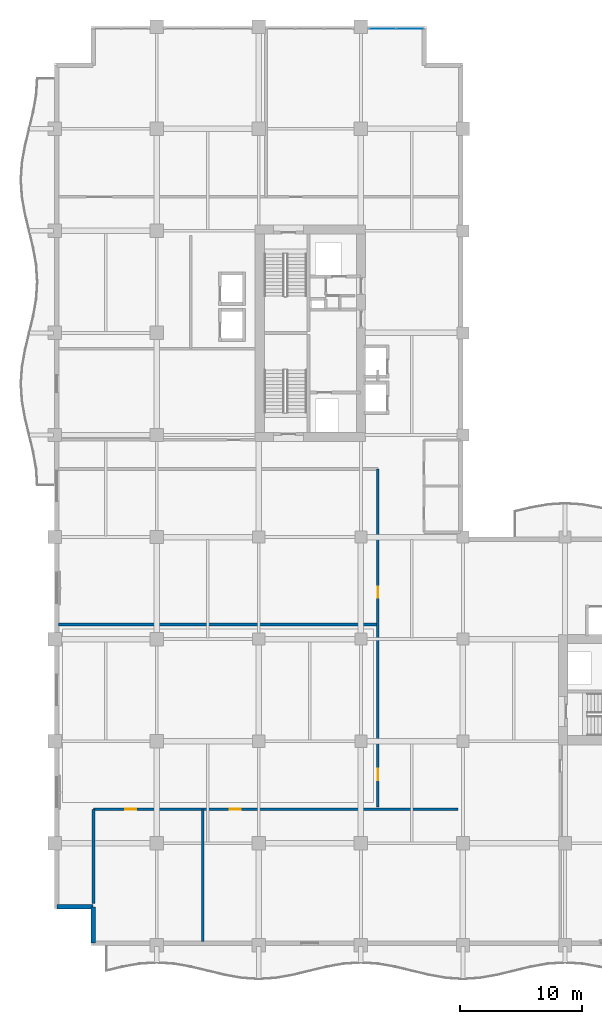
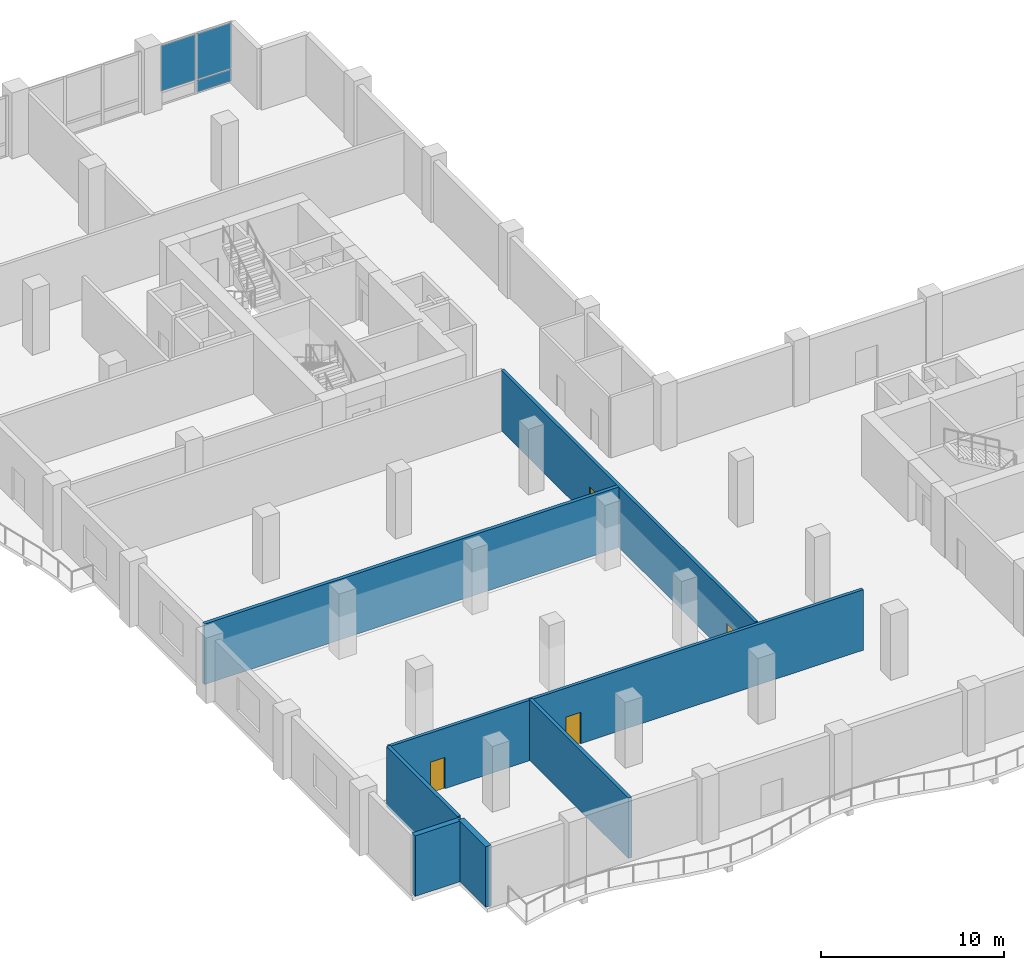
# One storey, part 13 of 25: 7 walls, 4 doors, 3 plates, 4 openings, 1 element without a shape of its own.
"""IFC4 building model written with IfcOpenShell, lengths in metres."""

from ifc_helpers import new_model, si_unit, direction, frame, frame_2d, origin, origin_2d, place, context, subcontext, project, spatial, rectangle, extrude, material, layer, layer_set, type_object, element, fill, aggregate, save


model = new_model("IFC4")

# Units and contexts
model_context = context("Model", 3, precision=1e-05, world=origin(), true_north=direction((0.0, 1.0)))
body_context = subcontext(model_context, "Body", "Model", "MODEL_VIEW")
ifc_project = project(units=[si_unit("LENGTHUNIT", "METRE"), si_unit("AREAUNIT", "SQUARE_METRE"), si_unit("VOLUMEUNIT", "CUBIC_METRE"), si_unit("PLANEANGLEUNIT", "RADIAN"), si_unit("MASSUNIT", "GRAM", prefix="KILO")], contexts=[model_context])

# Site, building, storey
site_placement = place(None, origin())
site = spatial("IfcSite", under=ifc_project, at=site_placement, CompositionType="ELEMENT")
building_placement = place(site_placement, origin())
building = spatial("IfcBuilding", under=site, at=building_placement, Name="Koriwani Terraces Tower", CompositionType="ELEMENT")
storey_placement = place(building_placement, frame((0.0, 0.0, 157.60009765625)))
storey = spatial("IfcBuildingStorey", under=building, at=storey_placement, Name="L38", CompositionType="ELEMENT", Elevation=157.60009765625)

# Curtain wall, plates
ifc_material_1 = material(Name="Anodised Bronze Aluminium", Category="aluminium")
ifc_layer_1 = layer(ifc_material_1, 0.169921875, Name="Anodised Bronze Aluminium")
ifc_layer_set_1 = layer_set([ifc_layer_1], Name="Anodised Bronze Aluminium")
curtain_wall_type = type_object("IfcCurtainWallType", Name="CW_RES_ZONE3", PredefinedType="NOTDEFINED", material=ifc_layer_set_1)
curtain_wall_placement = place(storey_placement, origin())
curtain_wall = element("IfcCurtainWall", 1, at=curtain_wall_placement, inside=storey, type_object=curtain_wall_type, Name="L38 Unitised Curtain Wall (N_TIP) Bay 4", PredefinedType="NOTDEFINED")
ifc_material_2 = material(Name="Tempered Laminated Low-E Glass", Category="glass")
ifc_layer_2 = layer(ifc_material_2, 0.028076171875, Name="Tempered Laminated Low-E Glass")
ifc_layer_set_2 = layer_set([ifc_layer_2], Name="Tempered Laminated Low-E Glass")
plate_type = type_object("IfcPlateType", Name="CW_PANEL_VISION_28", PredefinedType="CURTAIN_PANEL", material=ifc_layer_set_2)
plate_1_placement = place(storey_placement, frame((26.982421875, 75.425048828125, 0.9326171875), z_axis=(0.0, 0.0, 1.0), x_axis=(1.0, 0.0, 0.0)))
plate_1 = element("IfcPlate", 2, at=plate_1_placement, type_object=plate_type, Name="CW-Z3 panel 1.2", PredefinedType="CURTAIN_PANEL", context=body_context, shape_type="SweptSolid", body=[
    extrude(rectangle(XDim=2.195068359375, YDim=0.028076171875, at=origin_2d()), origin(), (0.0, 0.0, 1.0), 3.052490234375),
])
plate_2_placement = place(storey_placement, frame((29.25244140625, 75.425048828125, 0.06494140625), z_axis=(0.0, 0.0, 1.0), x_axis=(1.0, 0.0, 0.0)))
plate_2 = element("IfcPlate", 3, at=plate_2_placement, type_object=plate_type, Name="CW-Z3 panel 2.1", PredefinedType="CURTAIN_PANEL", context=body_context, shape_type="SweptSolid", body=[
    extrude(rectangle(XDim=2.195068359375, YDim=0.028076171875, at=origin_2d()), origin(), (0.0, 0.0, 1.0), 0.802490234375),
])
plate_3_placement = place(storey_placement, frame((29.25244140625, 75.425048828125, 0.9326171875), z_axis=(0.0, 0.0, 1.0), x_axis=(1.0, 0.0, 0.0)))
plate_3 = element("IfcPlate", 4, at=plate_3_placement, type_object=plate_type, Name="CW-Z3 panel 2.2", PredefinedType="CURTAIN_PANEL", context=body_context, shape_type="SweptSolid", body=[
    extrude(rectangle(XDim=2.195068359375, YDim=0.028076171875, at=origin_2d()), origin(), (0.0, 0.0, 1.0), 3.052490234375),
])
aggregate(curtain_wall, [plate_1, plate_2, plate_3])

# Wall, openings, doors
ifc_material_3 = material(Name="Autoclaved Cellular Concrete Blockwork", Category="masonry")
ifc_layer_3 = layer(ifc_material_3, 0.199951171875, Name="Autoclaved Cellular Concrete Blockwork")
ifc_layer_set_3 = layer_set([ifc_layer_3], Name="Autoclaved Cellular Concrete Blockwork")
wall_type_1 = type_object("IfcWallType", Name="WALL_CORRIDOR_200", PredefinedType="PARTITIONING", material=ifc_layer_set_3)
wall_1_placement = place(storey_placement, frame((3.199951171875, 11.199951171875, 0.0), z_axis=(0.0, 0.0, 1.0), x_axis=(1.0, 0.0, 0.0)))
wall_1 = element("IfcWall", 5, at=wall_1_placement, inside=storey, type_object=wall_type_1, Name="L38 Interior Wall WSKY-SPN-L38", PredefinedType="PARTITIONING", context=body_context, shape_type="SweptSolid", body=[
    extrude(rectangle(XDim=30.0, YDim=0.199951171875, at=frame_2d((15.0, 0.0))), origin(), (0.0, 0.0, 1.0), 4.0498046875),
])
opening_1_placement = place(wall_1_placement, frame((2.60009765625, 0.0, 0.0)))
opening_1 = element("IfcOpeningElement", 6, at=opening_1_placement, cuts=wall_1, Name="Opening D-06", PredefinedType="OPENING", context=body_context, shape_type="SweptSolid", body=[
    extrude(rectangle(XDim=0.919921875, YDim=2.10009765625, at=frame_2d((0.4599609375, 1.050048828125))), frame((0.0, 0.10986328125, 0.0), z_axis=(0.0, -1.0, 0.0), x_axis=(1.0, 0.0, 0.0)), (0.0, 0.0, 1.0), 0.219970703125),
])
opening_2_placement = place(wall_1_placement, frame((11.199951171875, 0.0, 0.0)))
opening_2 = element("IfcOpeningElement", 7, at=opening_2_placement, cuts=wall_1, Name="Opening D-06", PredefinedType="OPENING", context=body_context, shape_type="SweptSolid", body=[
    extrude(rectangle(XDim=0.919921875, YDim=2.10009765625, at=frame_2d((0.4599609375, 1.050048828125))), frame((0.0, 0.10986328125, 0.0), z_axis=(0.0, -1.0, 0.0), x_axis=(1.0, 0.0, 0.0)), (0.0, 0.0, 1.0), 0.219970703125),
])
ifc_material_4 = material(Name="Architectural Oak Fire Door", Category="wood")
door_type = type_object("IfcDoorType", Name="DOOR_ROOM_INT_920X2100", OperationType="NOTDEFINED", PredefinedType="DOOR", material=ifc_material_4)
door_1_placement = place(opening_1_placement, origin())
door_1 = element("IfcDoor", 8, at=door_1_placement, inside=storey, type_object=door_type, Name="L38 Sky Spa Salon Door", OperationType="SINGLE_SWING_RIGHT", OverallHeight=2.10009765625, OverallWidth=0.919921875, PredefinedType="DOOR", context=body_context, shape_type="SweptSolid", body=[
    extrude(rectangle(XDim=0.919921875, YDim=2.10009765625, at=frame_2d((0.4599609375, 1.050048828125))), frame((0.0, 0.02490234375, 0.0), z_axis=(0.0, -1.0, 0.0), x_axis=(1.0, 0.0, 0.0)), (0.0, 0.0, 1.0), 0.050048828125),
])
fill(opening_1, door_1)
door_2_placement = place(opening_2_placement, origin())
door_2 = element("IfcDoor", 9, at=door_2_placement, inside=storey, type_object=door_type, Name="L38 Sommelier Kitchen Door", OperationType="SINGLE_SWING_LEFT", OverallHeight=2.10009765625, OverallWidth=0.919921875, PredefinedType="DOOR", context=body_context, shape_type="SweptSolid", body=[
    extrude(rectangle(XDim=0.919921875, YDim=2.10009765625, at=frame_2d((0.4599609375, 1.050048828125))), frame((0.0, 0.02490234375, 0.0), z_axis=(0.0, -1.0, 0.0), x_axis=(1.0, 0.0, 0.0)), (0.0, 0.0, 1.0), 0.050048828125),
])
fill(opening_2, door_2)

wall_2_placement = place(storey_placement, frame((26.60009765625, 11.39990234375, 0.0), z_axis=(0.0, 0.0, 1.0), x_axis=(0.0, 1.0, 0.0)))
wall_2 = element("IfcWall", 10, at=wall_2_placement, inside=storey, type_object=wall_type_1, Name="L38 Interior Wall WSKY-WME-L38", PredefinedType="PARTITIONING", context=body_context, shape_type="SweptSolid", body=[
    extrude(rectangle(XDim=27.800048828125, YDim=0.199951171875, at=frame_2d((13.89990234375, 0.0))), origin(), (0.0, 0.0, 1.0), 4.0498046875),
])
opening_3_placement = place(wall_2_placement, frame((2.199951171875, 0.0, 0.0)))
opening_3 = element("IfcOpeningElement", 11, at=opening_3_placement, cuts=wall_2, Name="Opening D-06", PredefinedType="OPENING", context=body_context, shape_type="SweptSolid", body=[
    extrude(rectangle(XDim=0.919921875, YDim=2.10009765625, at=frame_2d((0.4599609375, 1.050048828125))), frame((0.0, 0.10986328125, 0.0), z_axis=(0.0, -1.0, 0.0), x_axis=(1.0, 0.0, 0.0)), (0.0, 0.0, 1.0), 0.219970703125),
])
opening_4_placement = place(wall_2_placement, frame((17.199951171875, 0.0, 0.0)))
opening_4 = element("IfcOpeningElement", 12, at=opening_4_placement, cuts=wall_2, Name="Opening D-06", PredefinedType="OPENING", context=body_context, shape_type="SweptSolid", body=[
    extrude(rectangle(XDim=0.919921875, YDim=2.10009765625, at=frame_2d((0.4599609375, 1.050048828125))), frame((0.0, 0.10986328125, 0.0), z_axis=(0.0, -1.0, 0.0), x_axis=(1.0, 0.0, 0.0)), (0.0, 0.0, 1.0), 0.219970703125),
])
door_3_placement = place(opening_3_placement, origin())
door_3 = element("IfcDoor", 13, at=door_3_placement, inside=storey, type_object=door_type, Name="L38 Screening Room Door", OperationType="SINGLE_SWING_RIGHT", OverallHeight=2.10009765625, OverallWidth=0.919921875, PredefinedType="DOOR", context=body_context, shape_type="SweptSolid", body=[
    extrude(rectangle(XDim=0.919921875, YDim=2.10009765625, at=frame_2d((0.4599609375, 1.050048828125))), frame((0.0, 0.02490234375, 0.0), z_axis=(0.0, -1.0, 0.0), x_axis=(1.0, 0.0, 0.0)), (0.0, 0.0, 1.0), 0.050048828125),
])
fill(opening_3, door_3)
door_4_placement = place(opening_4_placement, origin())
door_4 = element("IfcDoor", 14, at=door_4_placement, inside=storey, type_object=door_type, Name="L38 Study Library Door", OperationType="SINGLE_SWING_LEFT", OverallHeight=2.10009765625, OverallWidth=0.919921875, PredefinedType="DOOR", context=body_context, shape_type="SweptSolid", body=[
    extrude(rectangle(XDim=0.919921875, YDim=2.10009765625, at=frame_2d((0.4599609375, 1.050048828125))), frame((0.0, 0.02490234375, 0.0), z_axis=(0.0, -1.0, 0.0), x_axis=(1.0, 0.0, 0.0)), (0.0, 0.0, 1.0), 0.050048828125),
])
fill(opening_4, door_4)

# Walls
ifc_layer_4 = layer(ifc_material_3, 0.219970703125, Name="Autoclaved Cellular Concrete Blockwork")
ifc_layer_set_4 = layer_set([ifc_layer_4], Name="Autoclaved Cellular Concrete Blockwork")
wall_type_2 = type_object("IfcWallType", Name="WALL_DEMISING_220", PredefinedType="PARTITIONING", material=ifc_layer_set_4)
wall_3_placement = place(storey_placement, frame((3.199951171875, 3.449951171875, 0.0), z_axis=(0.0, 0.0, 1.0), x_axis=(0.0, 1.0, 0.0)))
element("IfcWall", 15, at=wall_3_placement, inside=storey, type_object=wall_type_2, Name="L38 Interior Wall WSKY-SPW-L38", PredefinedType="PARTITIONING", context=body_context, shape_type="SweptSolid", body=[
    extrude(rectangle(XDim=7.75, YDim=0.219970703125, at=frame_2d((3.875, 0.0))), origin(), (0.0, 0.0, 1.0), 4.0498046875),
])
wall_4_placement = place(storey_placement, frame((12.199951171875, 0.300048828125, 0.0), z_axis=(0.0, 0.0, 1.0), x_axis=(0.0, 1.0, 0.0)))
element("IfcWall", 16, at=wall_4_placement, inside=storey, type_object=wall_type_2, Name="L38 Interior Wall WSKY-SPM-L38", PredefinedType="PARTITIONING", context=body_context, shape_type="SweptSolid", body=[
    extrude(rectangle(XDim=10.89990234375, YDim=0.219970703125, at=frame_2d((5.449951171875, 0.0))), origin(), (0.0, 0.0, 1.0), 4.0498046875),
])
wall_5_placement = place(storey_placement, frame((0.300048828125, 26.39990234375, 0.0), z_axis=(0.0, 0.0, 1.0), x_axis=(1.0, 0.0, 0.0)))
element("IfcWall", 17, at=wall_5_placement, inside=storey, type_object=wall_type_2, Name="L38 Interior Wall WSKY-WMM-L38", PredefinedType="PARTITIONING", context=body_context, shape_type="SweptSolid", body=[
    extrude(rectangle(XDim=26.300048828125, YDim=0.219970703125, at=frame_2d((13.14990234375, 0.0))), origin(), (0.0, 0.0, 1.0), 4.0498046875),
])
ifc_material_5 = material(Name="Concrete C50/60", Category="concrete")
ifc_layer_5 = layer(ifc_material_5, 0.35009765625, Name="Concrete C50/60")
ifc_layer_set_5 = layer_set([ifc_layer_5], Name="Concrete C50/60")
wall_type_3 = type_object("IfcWallType", Name="WALL_EXT_BRUTALIST_350", PredefinedType="STANDARD", material=ifc_layer_set_5)
for number, where, z_axis, x_axis, name in (
    (18, (3.175048828125, 0.175048828125, 0.0), (0.0, 0.0, 1.0), (0.0, 1.0, 0.0), "L38 Fair-Faced Brutalist Exterior Wall (N0)"),
    (19, (3.175048828125, 3.175048828125, 0.0), (0.0, 0.0, 1.0), (-1.0, 0.0, 0.0), "L38 Fair-Faced Brutalist Exterior Wall (N1)"),
):
    element("IfcWall", number, at=place(storey_placement, frame(where, z_axis=z_axis, x_axis=x_axis)), inside=storey, type_object=wall_type_3, Name=name, PredefinedType="STANDARD", context=body_context, shape_type="SweptSolid", body=[
        extrude(rectangle(XDim=3.0, YDim=0.35009765625, at=frame_2d((1.5, 0.0))), origin(), (0.0, 0.0, 1.0), 4.0498046875),
    ])

save(model, "model.ifc")
